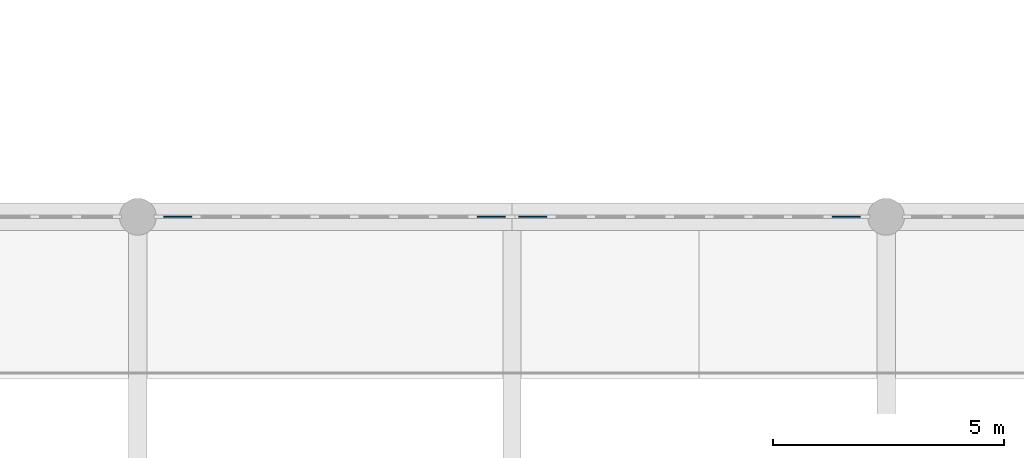
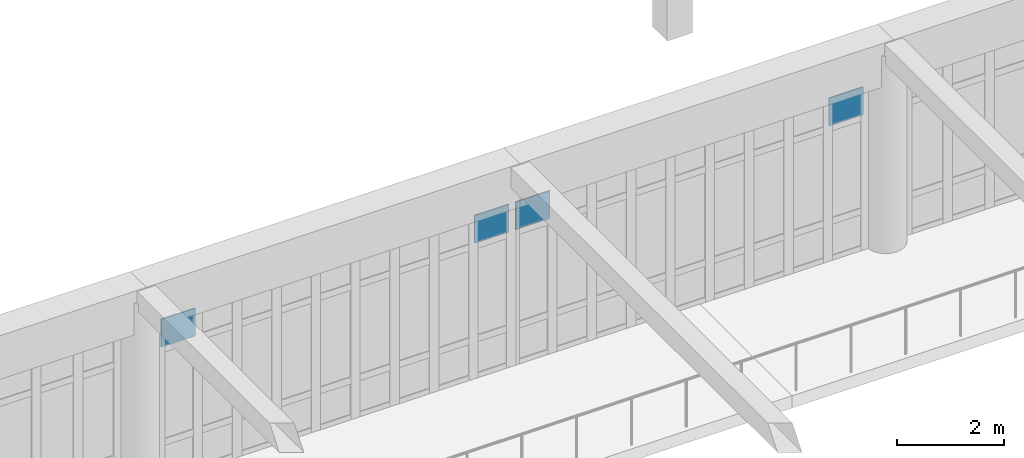
# One storey, part 41 of 61: 4 plates, 2 elements without a shape of their own.
"""IFC4 building model written with IfcOpenShell, lengths in metres."""

from ifc_helpers import new_model, si_unit, direction, frame, origin, origin_2d, place, context, subcontext, project, spatial, rectangle, extrude, material, layer, layer_set, type_object, element, aggregate, save


model = new_model("IFC4")

# Units and contexts
model_context = context("Model", 3, precision=1e-05, world=origin(), true_north=direction((0.0, 1.0)))
body_context = subcontext(model_context, "Body", "Model", "MODEL_VIEW")
ifc_project = project(units=[si_unit("LENGTHUNIT", "METRE"), si_unit("AREAUNIT", "SQUARE_METRE"), si_unit("VOLUMEUNIT", "CUBIC_METRE"), si_unit("PLANEANGLEUNIT", "RADIAN"), si_unit("MASSUNIT", "GRAM", prefix="KILO")], contexts=[model_context])

# Site, building, storey
site_placement = place(None, origin())
site = spatial("IfcSite", under=ifc_project, at=site_placement, CompositionType="ELEMENT")
building_placement = place(site_placement, origin())
building = spatial("IfcBuilding", under=site, at=building_placement, Name="Tarnveldt Square Police Headquarters", CompositionType="ELEMENT")
storey_placement = place(building_placement, frame((0.0, 0.0, 5.39990234375)))
storey = spatial("IfcBuildingStorey", under=building, at=storey_placement, Name="L01", CompositionType="ELEMENT", Elevation=5.39990234375)

# Curtain wall, plates
ifc_material = material(Name="Triple-glazed low-e laminated vision glass", Category="glass")
curtain_wall_type_1 = type_object("IfcCurtainWallType", Name="CW-CT-768x379", PredefinedType="USERDEFINED", material=ifc_material)
curtain_wall_1_placement = place(storey_placement, origin())
curtain_wall_1 = element("IfcCurtainWall", 1, at=curtain_wall_1_placement, inside=storey, type_object=curtain_wall_type_1, Name="L01 Curtain Wall CW-L01-020", ObjectType="GLAZED CURTAIN WALL", PredefinedType="USERDEFINED")
ifc_layer = layer(ifc_material, 0.028076171875)
ifc_layer_set = layer_set([ifc_layer], Name="Triple-glazed low-e laminated vision glass")
plate_type = type_object("IfcPlateType", Name="CWP-VIS-28", PredefinedType="CURTAIN_PANEL", material=ifc_layer_set)
plate_1_placement = place(storey_placement, frame((81.860595703125, 48.0, 3.07958984375), z_axis=(0.0, 0.0, 1.0), x_axis=(1.0, 0.0, 0.0)))
plate_1 = element("IfcPlate", 2, at=plate_1_placement, type_object=plate_type, Name="CW-CT10 panel 1.3", PredefinedType="CURTAIN_PANEL", context=body_context, shape_type="SweptSolid", body=[
    extrude(rectangle(XDim=0.741455078125, YDim=0.028076171875, at=origin_2d()), origin(), (0.0, 0.0, 1.0), 0.637451171875),
])
plate_2_placement = place(storey_placement, frame((88.654296875, 48.0, 3.07958984375), z_axis=(0.0, 0.0, 1.0), x_axis=(1.0, 0.0, 0.0)))
plate_2 = element("IfcPlate", 3, at=plate_2_placement, type_object=plate_type, Name="CW-CT10 panel 9.3", PredefinedType="CURTAIN_PANEL", context=body_context, shape_type="SweptSolid", body=[
    extrude(rectangle(XDim=0.741455078125, YDim=0.028076171875, at=origin_2d()), origin(), (0.0, 0.0, 1.0), 0.637451171875),
])
aggregate(curtain_wall_1, [plate_1, plate_2])

curtain_wall_type_2 = type_object("IfcCurtainWallType", Name="CW-CT-769x379", PredefinedType="USERDEFINED", material=ifc_material)
curtain_wall_2_placement = place(storey_placement, origin())
curtain_wall_2 = element("IfcCurtainWall", 4, at=curtain_wall_2_placement, inside=storey, type_object=curtain_wall_type_2, Name="L01 Curtain Wall CW-L01-021", ObjectType="GLAZED CURTAIN WALL", PredefinedType="USERDEFINED")
plate_3_placement = place(storey_placement, frame((89.545654296875, 48.0, 3.07958984375), z_axis=(0.0, 0.0, 1.0), x_axis=(1.0, 0.0, 0.0)))
plate_3 = element("IfcPlate", 5, at=plate_3_placement, type_object=plate_type, Name="CW-CT11 panel 1.3", PredefinedType="CURTAIN_PANEL", context=body_context, shape_type="SweptSolid", body=[
    extrude(rectangle(XDim=0.741455078125, YDim=0.028076171875, at=origin_2d()), origin(), (0.0, 0.0, 1.0), 0.637451171875),
])
plate_4_placement = place(storey_placement, frame((96.33935546875, 48.0, 3.07958984375), z_axis=(0.0, 0.0, 1.0), x_axis=(1.0, 0.0, 0.0)))
plate_4 = element("IfcPlate", 6, at=plate_4_placement, type_object=plate_type, Name="CW-CT11 panel 9.3", PredefinedType="CURTAIN_PANEL", context=body_context, shape_type="SweptSolid", body=[
    extrude(rectangle(XDim=0.741455078125, YDim=0.028076171875, at=origin_2d()), origin(), (0.0, 0.0, 1.0), 0.637451171875),
])
aggregate(curtain_wall_2, [plate_3, plate_4])

save(model, "model.ifc")
